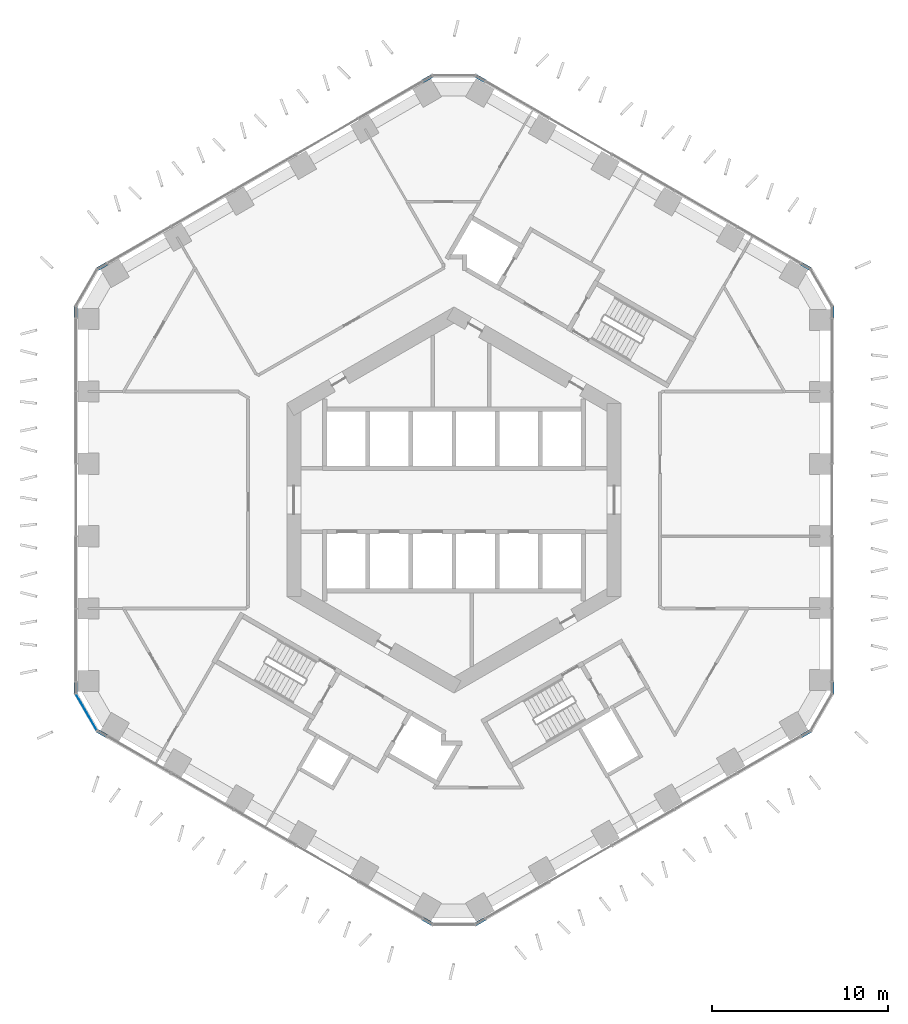
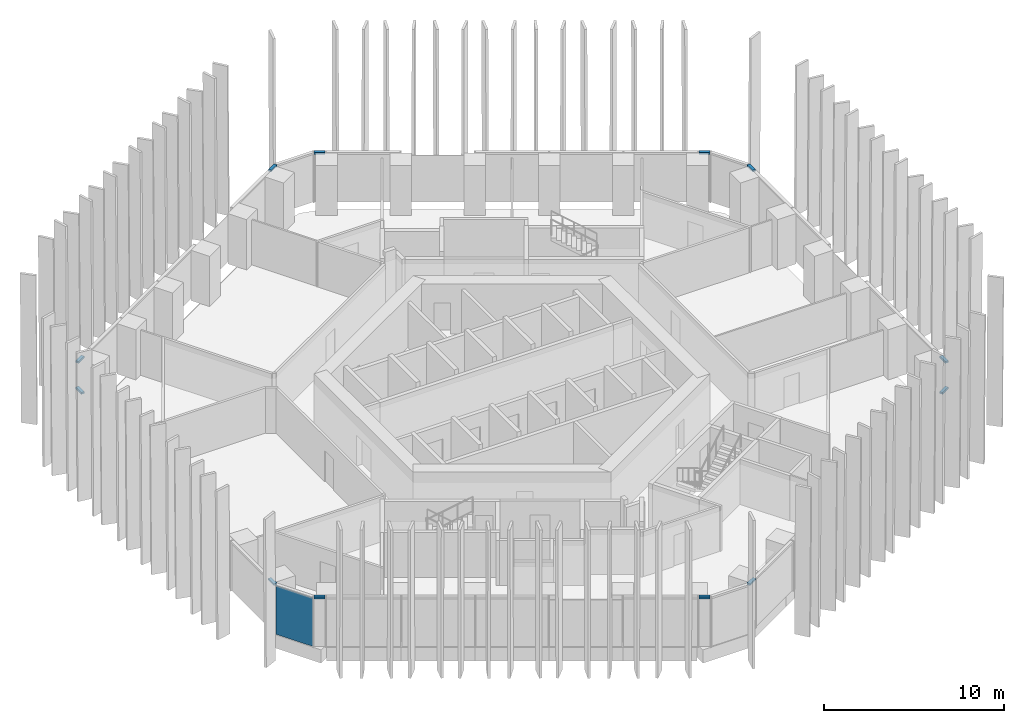
# One storey, part 7 of 18: 12 members, 1 plate, 6 elements without a shape of their own.
"""IFC4 building model written with IfcOpenShell, lengths in metres."""

from ifc_helpers import new_model, si_unit, direction, frame, origin, origin_2d, place, context, subcontext, project, spatial, rectangle, extrude, material, layer, layer_set, material_profile, profile_set, type_object, element, aggregate, save


model = new_model("IFC4")

# Units and contexts
model_context = context("Model", 3, precision=1e-05, world=origin(), true_north=direction((0.0, 1.0)))
body_context = subcontext(model_context, "Body", "Model", "MODEL_VIEW")
ifc_project = project(units=[si_unit("LENGTHUNIT", "METRE"), si_unit("AREAUNIT", "SQUARE_METRE"), si_unit("VOLUMEUNIT", "CUBIC_METRE"), si_unit("PLANEANGLEUNIT", "RADIAN"), si_unit("MASSUNIT", "GRAM", prefix="KILO")], contexts=[model_context])

# Site, building, storey
site_placement = place(None, origin())
site = spatial("IfcSite", under=ifc_project, at=site_placement, CompositionType="ELEMENT")
building_placement = place(site_placement, origin())
building = spatial("IfcBuilding", under=site, at=building_placement, Name="Ayvan Gate Tower", CompositionType="ELEMENT")
storey_placement = place(building_placement, frame((0.0, 0.0, 25.5)))
storey = spatial("IfcBuildingStorey", under=building, at=storey_placement, Name="L05", CompositionType="ELEMENT", Elevation=25.5)

# Curtain wall, members
ifc_material_1 = material(Name="Bronze anodised aluminium", Category="aluminium")
ifc_layer_1 = layer(ifc_material_1, 0.199951171875)
ifc_layer_set_1 = layer_set([ifc_layer_1], Name="Bronze anodised aluminium")
curtain_wall_type = type_object("IfcCurtainWallType", Name="Stick curtain wall CW-6", PredefinedType="NOTDEFINED", material=ifc_layer_set_1)
curtain_wall_1_placement = place(storey_placement, origin())
curtain_wall_1 = element("IfcCurtainWall", 1, at=curtain_wall_1_placement, inside=storey, type_object=curtain_wall_type, Name="Stick curtain wall CW-6 L05", PredefinedType="NOTDEFINED")
ifc_material_profile = material_profile(ifc_material_1, rectangle(XDim=0.199951171875, YDim=0.1201171875, at=origin_2d()), Name="Stick curtain wall CW-6 transom 200 x 120")
ifc_profile_set = profile_set([ifc_material_profile], Name="Bronze anodised aluminium")
member_type = type_object("IfcMemberType", Name="Stick curtain wall CW-6 transom 200 x 120", PredefinedType="USERDEFINED", material=ifc_profile_set)
member_1_placement = place(storey_placement, frame((-19.71435546875, 13.42626953125, 3.340087890625), z_axis=(-0.866022959057, -0.500004234368, 0.0), x_axis=(0.500004234368, -0.866022959057, 0.0)))
member_1 = element("IfcMember", 2, at=member_1_placement, type_object=member_type, Name="CW-6 transom 1", ObjectType="TRANSOM", PredefinedType="USERDEFINED", context=body_context, shape_type="SweptSolid", body=[
    extrude(rectangle(XDim=0.199951171875, YDim=0.1201171875, at=origin_2d()), origin(), (0.0, 0.0, 1.0), 0.625),
])
member_2_placement = place(storey_placement, frame((-21.484619140625, 10.985107421875, 3.340087890625), z_axis=(0.0, -1.0, 0.0), x_axis=(1.0, 0.0, 0.0)))
member_2 = element("IfcMember", 3, at=member_2_placement, type_object=member_type, Name="CW-6 transom 3", ObjectType="TRANSOM", PredefinedType="USERDEFINED", context=body_context, shape_type="SweptSolid", body=[
    extrude(rectangle(XDim=0.199951171875, YDim=0.1201171875, at=origin_2d()), origin(), (0.0, 0.0, 1.0), 0.625),
])
aggregate(curtain_wall_1, [member_1, member_2])

curtain_wall_2_placement = place(storey_placement, origin())
curtain_wall_2 = element("IfcCurtainWall", 4, at=curtain_wall_2_placement, inside=storey, type_object=curtain_wall_type, Name="Stick curtain wall CW-6 L05", PredefinedType="NOTDEFINED")
member_3_placement = place(storey_placement, frame((-21.484619140625, -10.360107421875, 3.340087890625), z_axis=(0.0, -1.0, 0.0), x_axis=(1.0, 0.0, 0.0)))
member_3 = element("IfcMember", 5, at=member_3_placement, type_object=member_type, Name="CW-6 transom 1", ObjectType="TRANSOM", PredefinedType="USERDEFINED", context=body_context, shape_type="SweptSolid", body=[
    extrude(rectangle(XDim=0.199951171875, YDim=0.1201171875, at=origin_2d()), origin(), (0.0, 0.0, 1.0), 0.625),
])
member_4_placement = place(storey_placement, frame((-20.255615234375, -13.11376953125, 3.340087890625), z_axis=(0.866022959057, -0.500004234368, 0.0), x_axis=(0.500004234368, 0.866022959057, 0.0)))
member_4 = element("IfcMember", 6, at=member_4_placement, type_object=member_type, Name="CW-6 transom 3", ObjectType="TRANSOM", PredefinedType="USERDEFINED", context=body_context, shape_type="SweptSolid", body=[
    extrude(rectangle(XDim=0.199951171875, YDim=0.1201171875, at=origin_2d()), origin(), (0.0, 0.0, 1.0), 0.625),
])

curtain_wall_3_placement = place(storey_placement, origin())
curtain_wall_3 = element("IfcCurtainWall", 7, at=curtain_wall_3_placement, inside=storey, type_object=curtain_wall_type, Name="Stick curtain wall CW-6 L05", PredefinedType="NOTDEFINED")
member_5_placement = place(storey_placement, frame((-1.770263671875, -23.786376953125, 3.340087890625), z_axis=(0.866022959057, -0.500004234368, 0.0), x_axis=(0.500004234368, 0.866022959057, 0.0)))
member_5 = element("IfcMember", 8, at=member_5_placement, type_object=member_type, Name="CW-6 transom 1", ObjectType="TRANSOM", PredefinedType="USERDEFINED", context=body_context, shape_type="SweptSolid", body=[
    extrude(rectangle(XDim=0.199951171875, YDim=0.1201171875, at=origin_2d()), origin(), (0.0, 0.0, 1.0), 0.625),
])
member_6_placement = place(storey_placement, frame((1.22900390625, -24.098876953125, 3.340087890625), z_axis=(0.866022959057, 0.500004234368, 0.0), x_axis=(-0.500004234368, 0.866022959057, 0.0)))
member_6 = element("IfcMember", 9, at=member_6_placement, type_object=member_type, Name="CW-6 transom 3", ObjectType="TRANSOM", PredefinedType="USERDEFINED", context=body_context, shape_type="SweptSolid", body=[
    extrude(rectangle(XDim=0.199951171875, YDim=0.1201171875, at=origin_2d()), origin(), (0.0, 0.0, 1.0), 0.625),
])
aggregate(curtain_wall_3, [member_5, member_6])

curtain_wall_4_placement = place(storey_placement, origin())
curtain_wall_4 = element("IfcCurtainWall", 10, at=curtain_wall_4_placement, inside=storey, type_object=curtain_wall_type, Name="Stick curtain wall CW-6 L05", PredefinedType="NOTDEFINED")
member_7_placement = place(storey_placement, frame((19.71435546875, -13.42626953125, 3.340087890625), z_axis=(0.866022959057, 0.500004234368, 0.0), x_axis=(-0.500004234368, 0.866022959057, 0.0)))
member_7 = element("IfcMember", 11, at=member_7_placement, type_object=member_type, Name="CW-6 transom 1", ObjectType="TRANSOM", PredefinedType="USERDEFINED", context=body_context, shape_type="SweptSolid", body=[
    extrude(rectangle(XDim=0.199951171875, YDim=0.1201171875, at=origin_2d()), origin(), (0.0, 0.0, 1.0), 0.625),
])
member_8_placement = place(storey_placement, frame((21.484619140625, -10.985107421875, 3.340087890625), z_axis=(0.0, 1.0, 0.0), x_axis=(-1.0, 0.0, 0.0)))
member_8 = element("IfcMember", 12, at=member_8_placement, type_object=member_type, Name="CW-6 transom 3", ObjectType="TRANSOM", PredefinedType="USERDEFINED", context=body_context, shape_type="SweptSolid", body=[
    extrude(rectangle(XDim=0.199951171875, YDim=0.1201171875, at=origin_2d()), origin(), (0.0, 0.0, 1.0), 0.625),
])
aggregate(curtain_wall_4, [member_7, member_8])

curtain_wall_5_placement = place(storey_placement, origin())
curtain_wall_5 = element("IfcCurtainWall", 13, at=curtain_wall_5_placement, inside=storey, type_object=curtain_wall_type, Name="Stick curtain wall CW-6 L05", PredefinedType="NOTDEFINED")
member_9_placement = place(storey_placement, frame((21.484619140625, 10.360107421875, 3.340087890625), z_axis=(0.0, 1.0, 0.0), x_axis=(-1.0, 0.0, 0.0)))
member_9 = element("IfcMember", 14, at=member_9_placement, type_object=member_type, Name="CW-6 transom 1", ObjectType="TRANSOM", PredefinedType="USERDEFINED", context=body_context, shape_type="SweptSolid", body=[
    extrude(rectangle(XDim=0.199951171875, YDim=0.1201171875, at=origin_2d()), origin(), (0.0, 0.0, 1.0), 0.625),
])
member_10_placement = place(storey_placement, frame((20.255615234375, 13.11376953125, 3.340087890625), z_axis=(-0.866022959057, 0.500004234368, 0.0), x_axis=(-0.500004234368, -0.866022959057, 0.0)))
member_10 = element("IfcMember", 15, at=member_10_placement, type_object=member_type, Name="CW-6 transom 3", ObjectType="TRANSOM", PredefinedType="USERDEFINED", context=body_context, shape_type="SweptSolid", body=[
    extrude(rectangle(XDim=0.199951171875, YDim=0.1201171875, at=origin_2d()), origin(), (0.0, 0.0, 1.0), 0.625),
])
aggregate(curtain_wall_5, [member_9, member_10])

curtain_wall_6_placement = place(storey_placement, origin())
curtain_wall_6 = element("IfcCurtainWall", 16, at=curtain_wall_6_placement, inside=storey, type_object=curtain_wall_type, Name="Stick curtain wall CW-6 L05", PredefinedType="NOTDEFINED")
member_11_placement = place(storey_placement, frame((1.770263671875, 23.786376953125, 3.340087890625), z_axis=(-0.866022959057, 0.500004234368, 0.0), x_axis=(-0.500004234368, -0.866022959057, 0.0)))
member_11 = element("IfcMember", 17, at=member_11_placement, type_object=member_type, Name="CW-6 transom 1", ObjectType="TRANSOM", PredefinedType="USERDEFINED", context=body_context, shape_type="SweptSolid", body=[
    extrude(rectangle(XDim=0.199951171875, YDim=0.1201171875, at=origin_2d()), origin(), (0.0, 0.0, 1.0), 0.625),
])
member_12_placement = place(storey_placement, frame((-1.22900390625, 24.098876953125, 3.340087890625), z_axis=(-0.866022959057, -0.500004234368, 0.0), x_axis=(0.500004234368, -0.866022959057, 0.0)))
member_12 = element("IfcMember", 18, at=member_12_placement, type_object=member_type, Name="CW-6 transom 3", ObjectType="TRANSOM", PredefinedType="USERDEFINED", context=body_context, shape_type="SweptSolid", body=[
    extrude(rectangle(XDim=0.199951171875, YDim=0.1201171875, at=origin_2d()), origin(), (0.0, 0.0, 1.0), 0.625),
])
aggregate(curtain_wall_6, [member_11, member_12])

# Plate
ifc_material_2 = material(Name="Clear low-iron laminated glass", Category="glass")
ifc_layer_2 = layer(ifc_material_2, 0.028076171875)
ifc_layer_set_2 = layer_set([ifc_layer_2], Name="Clear low-iron laminated glass")
plate_type = type_object("IfcPlateType", Name="Stick curtain wall CW-6 glass panel", PredefinedType="CURTAIN_PANEL", material=ifc_layer_set_2)
plate_placement = place(storey_placement, frame((-20.880859375, -12.0556640625, 0.0), z_axis=(0.0, 0.0, 1.0), x_axis=(0.5, -0.866025403784, 0.0)))
plate = element("IfcPlate", 19, at=plate_placement, type_object=plate_type, Name="CW-6 glass panel 2", PredefinedType="CURTAIN_PANEL", context=body_context, shape_type="SweptSolid", body=[
    extrude(rectangle(XDim=2.364501953125, YDim=0.028076171875, at=origin_2d()), origin(), (0.0, 0.0, 1.0), 3.280029296875),
])

aggregate(curtain_wall_2, [member_3, member_4, plate])

save(model, "model.ifc")
